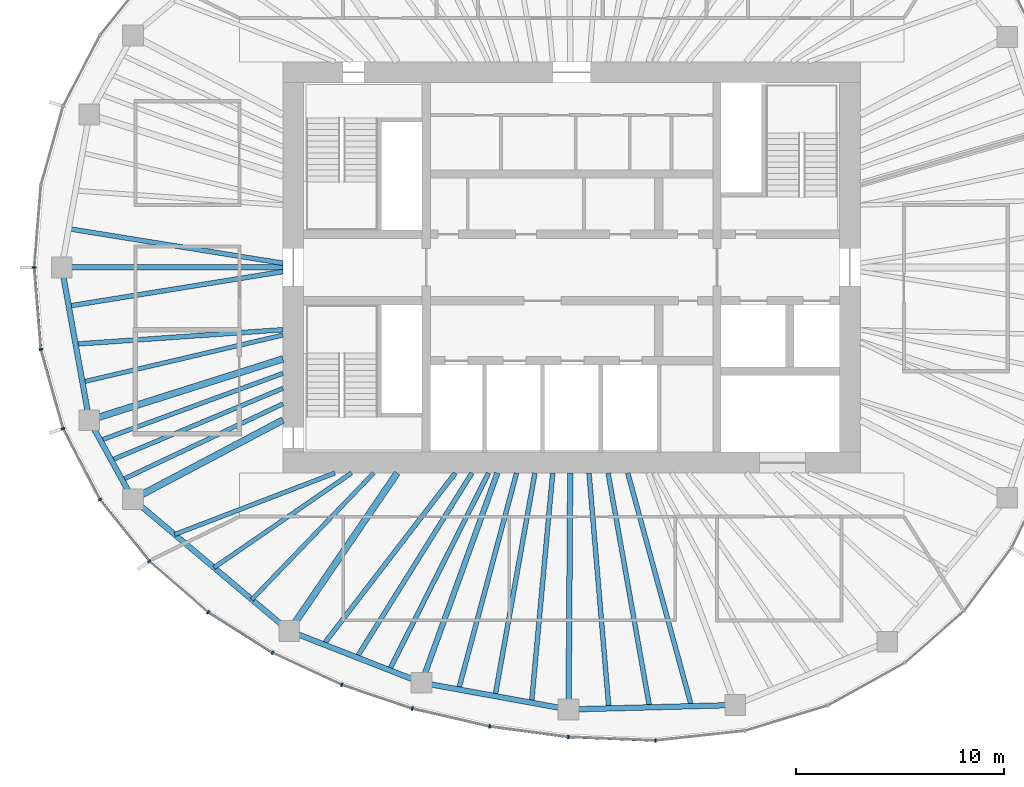
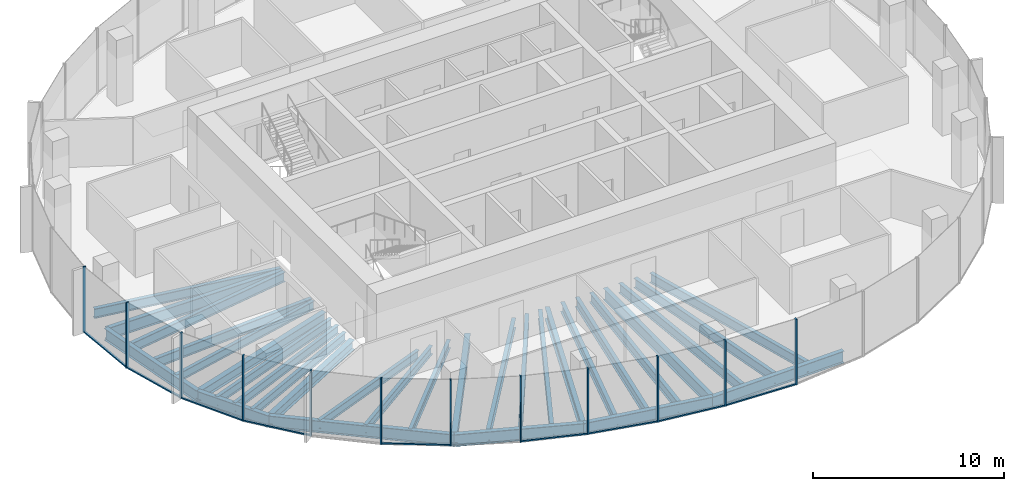
# One storey, part 2 of 11: 31 beams, 21 members, 6 elements without a shape of their own.
"""IFC4 building model written with IfcOpenShell, lengths in metres."""

from ifc_helpers import new_model, si_unit, direction, frame, origin, origin_2d, place, context, subcontext, project, spatial, rectangle, i_section, extrude, material, material_profile, profile_set, type_object, element, aggregate, save


model = new_model("IFC4")

# Units and contexts
model_context = context("Model", 3, precision=1e-05, world=origin(), true_north=direction((0.0, 1.0)))
body_context = subcontext(model_context, "Body", "Model", "MODEL_VIEW")
ifc_project = project(units=[si_unit("LENGTHUNIT", "METRE"), si_unit("AREAUNIT", "SQUARE_METRE"), si_unit("VOLUMEUNIT", "CUBIC_METRE"), si_unit("PLANEANGLEUNIT", "RADIAN"), si_unit("MASSUNIT", "GRAM", prefix="KILO")], contexts=[model_context])

# Site, building, storey
site_placement = place(None, origin())
site = spatial("IfcSite", under=ifc_project, at=site_placement, CompositionType="ELEMENT")
building_placement = place(site_placement, origin())
building = spatial("IfcBuilding", under=site, at=building_placement, Name="Ghaith Harvest Tower", CompositionType="ELEMENT")
storey_placement = place(building_placement, frame((0.0, 0.0, 309.0)))
storey = spatial("IfcBuildingStorey", under=building, at=storey_placement, Name="L69", CompositionType="ELEMENT", Elevation=309.0)

# Curtain wall, members
ifc_material_1 = material(Name="Black anodised aluminium and fritted glass", Category="aluminium")
curtain_wall_type = type_object("IfcCurtainWallType", Name="CW-T CURTAIN WALL", PredefinedType="NOTDEFINED", material=ifc_material_1)
curtain_wall_1_placement = place(storey_placement, origin())
curtain_wall_1 = element("IfcCurtainWall", 1, at=curtain_wall_1_placement, inside=storey, type_object=curtain_wall_type, Name="Curtain wall CW-T bay 11 L69", PredefinedType="NOTDEFINED")
ifc_material_2 = material(Name="Aluminium, black anodised", Category="aluminium")
ifc_material_profile_1 = material_profile(ifc_material_2, rectangle(XDim=0.080078125, YDim=0.179931640625, at=origin_2d()), Name="CW-T MULLION 80x180")
ifc_profile_set_1 = profile_set([ifc_material_profile_1], Name="Aluminium, black anodised")
member_type_1 = type_object("IfcMemberType", Name="CW-T MULLION 80x180", PredefinedType="MULLION", material=ifc_profile_set_1)
member_1_placement = place(storey_placement, frame((-25.8701171875, 0.0, 0.0), z_axis=(0.0, 0.0, 1.0), x_axis=(-1.05e-10, -1.0, 0.0)))
member_1 = element("IfcMember", 2, at=member_1_placement, type_object=member_type_1, Name="CW-T mullion 1 bay 11 L69", PredefinedType="MULLION", context=body_context, shape_type="SweptSolid", body=[
    extrude(rectangle(XDim=0.080078125, YDim=0.179931640625, at=origin_2d()), origin(), (0.0, 0.0, 1.0), 4.199951171875),
])
member_2_placement = place(storey_placement, frame((-25.5517578125, -3.9521484375, 0.0), z_axis=(0.0, 0.0, 1.0), x_axis=(0.176001391003, -0.98438991785, 0.0)))
member_2 = element("IfcMember", 3, at=member_2_placement, type_object=member_type_1, Name="CW-T mullion 2 bay 11 L69", PredefinedType="MULLION", context=body_context, shape_type="SweptSolid", body=[
    extrude(rectangle(XDim=0.080078125, YDim=0.179931640625, at=origin_2d()), origin(), (0.0, 0.0, 1.0), 4.199951171875),
])

curtain_wall_2_placement = place(storey_placement, origin())
curtain_wall_2 = element("IfcCurtainWall", 4, at=curtain_wall_2_placement, inside=storey, type_object=curtain_wall_type, Name="Curtain wall CW-T bay 12 L69", PredefinedType="NOTDEFINED")
member_3_placement = place(storey_placement, frame((-24.482666015625, -7.759033203125, 0.0), z_axis=(0.0, 0.0, 1.0), x_axis=(0.366473104734, -0.930428645038, 0.0)))
member_3 = element("IfcMember", 5, at=member_3_placement, type_object=member_type_1, Name="CW-T mullion 1 bay 12 L69", PredefinedType="MULLION", context=body_context, shape_type="SweptSolid", body=[
    extrude(rectangle(XDim=0.080078125, YDim=0.179931640625, at=origin_2d()), origin(), (0.0, 0.0, 1.0), 4.199951171875),
])
member_4_placement = place(storey_placement, frame((-22.706298828125, -11.176513671875, 0.0), z_axis=(0.0, 0.0, 1.0), x_axis=(0.545865412431, -0.837872873121, 0.0)))
member_4 = element("IfcMember", 6, at=member_4_placement, type_object=member_type_1, Name="CW-T mullion 2 bay 12 L69", PredefinedType="MULLION", context=body_context, shape_type="SweptSolid", body=[
    extrude(rectangle(XDim=0.080078125, YDim=0.179931640625, at=origin_2d()), origin(), (0.0, 0.0, 1.0), 4.199951171875),
])

curtain_wall_3_placement = place(storey_placement, origin())
curtain_wall_3 = element("IfcCurtainWall", 7, at=curtain_wall_3_placement, inside=storey, type_object=curtain_wall_type, Name="Curtain wall CW-T bay 13 L69", PredefinedType="NOTDEFINED")
member_5_placement = place(storey_placement, frame((-20.324462890625, -14.141845703125, 0.0), z_axis=(0.0, 0.0, 1.0), x_axis=(0.692826491831, -0.721104328248, 0.0)))
member_5 = element("IfcMember", 8, at=member_5_placement, type_object=member_type_1, Name="CW-T mullion 1 bay 13 L69", PredefinedType="MULLION", context=body_context, shape_type="SweptSolid", body=[
    extrude(rectangle(XDim=0.080078125, YDim=0.179931640625, at=origin_2d()), origin(), (0.0, 0.0, 1.0), 4.199951171875),
])
member_6_placement = place(storey_placement, frame((-17.49462890625, -16.600830078125, 0.0), z_axis=(0.0, 0.0, 1.0), x_axis=(0.802189888845, -0.59706899286, 0.0)))
member_6 = element("IfcMember", 9, at=member_6_placement, type_object=member_type_1, Name="CW-T mullion 2 bay 13 L69", PredefinedType="MULLION", context=body_context, shape_type="SweptSolid", body=[
    extrude(rectangle(XDim=0.080078125, YDim=0.179931640625, at=origin_2d()), origin(), (0.0, 0.0, 1.0), 4.199951171875),
])

curtain_wall_4_placement = place(storey_placement, origin())
curtain_wall_4 = element("IfcCurtainWall", 10, at=curtain_wall_4_placement, inside=storey, type_object=curtain_wall_type, Name="Curtain wall CW-T bay 14 L69", PredefinedType="NOTDEFINED")
member_7_placement = place(storey_placement, frame((-14.40478515625, -18.5478515625, 0.0), z_axis=(0.0, 0.0, 1.0), x_axis=(0.878671732732, -0.477426419564, 0.0)))
member_7 = element("IfcMember", 11, at=member_7_placement, type_object=member_type_1, Name="CW-T mullion 1 bay 14 L69", PredefinedType="MULLION", context=body_context, shape_type="SweptSolid", body=[
    extrude(rectangle(XDim=0.080078125, YDim=0.179931640625, at=origin_2d()), origin(), (0.0, 0.0, 1.0), 4.199951171875),
])
member_8_placement = place(storey_placement, frame((-11.0673828125, -20.093017578125, 0.0), z_axis=(0.0, 0.0, 1.0), x_axis=(0.92862442092, -0.371021138038, 0.0)))
member_8 = element("IfcMember", 12, at=member_8_placement, type_object=member_type_1, Name="CW-T mullion 2 bay 14 L69", PredefinedType="MULLION", context=body_context, shape_type="SweptSolid", body=[
    extrude(rectangle(XDim=0.080078125, YDim=0.179931640625, at=origin_2d()), origin(), (0.0, 0.0, 1.0), 4.199951171875),
])

curtain_wall_5_placement = place(storey_placement, origin())
curtain_wall_5 = element("IfcCurtainWall", 13, at=curtain_wall_5_placement, inside=storey, type_object=curtain_wall_type, Name="Curtain wall CW-T bay 15 L69", PredefinedType="NOTDEFINED")
member_9_placement = place(storey_placement, frame((-7.6708984375, -21.23828125, 0.0), z_axis=(0.0, 0.0, 1.0), x_axis=(0.962552491659, -0.271095372151, 0.0)))
member_9 = element("IfcMember", 14, at=member_9_placement, type_object=member_type_1, Name="CW-T mullion 1 bay 15 L69", PredefinedType="MULLION", context=body_context, shape_type="SweptSolid", body=[
    extrude(rectangle(XDim=0.080078125, YDim=0.179931640625, at=origin_2d()), origin(), (0.0, 0.0, 1.0), 4.199951171875),
])
member_10_placement = place(storey_placement, frame((-3.946533203125, -22.0986328125, 0.0), z_axis=(0.0, 0.0, 1.0), x_axis=(0.983843447712, -0.179030920217, 0.0)))
member_10 = element("IfcMember", 15, at=member_10_placement, type_object=member_type_1, Name="CW-T mullion 2 bay 15 L69", PredefinedType="MULLION", context=body_context, shape_type="SweptSolid", body=[
    extrude(rectangle(XDim=0.080078125, YDim=0.179931640625, at=origin_2d()), origin(), (0.0, 0.0, 1.0), 4.199951171875),
])

curtain_wall_6_placement = place(storey_placement, origin())
curtain_wall_6 = element("IfcCurtainWall", 16, at=curtain_wall_6_placement, inside=storey, type_object=curtain_wall_type, Name="Curtain wall CW-T bay 16 L69", PredefinedType="NOTDEFINED")
member_11_placement = place(storey_placement, frame((-0.15478515625, -22.60595703125, 0.0), z_axis=(0.0, 0.0, 1.0), x_axis=(0.996414855524, -0.084601629366, 0.0)))
member_11 = element("IfcMember", 17, at=member_11_placement, type_object=member_type_1, Name="CW-T mullion 1 bay 16 L69", PredefinedType="MULLION", context=body_context, shape_type="SweptSolid", body=[
    extrude(rectangle(XDim=0.080078125, YDim=0.179931640625, at=origin_2d()), origin(), (0.0, 0.0, 1.0), 4.199951171875),
])
member_12_placement = place(storey_placement, frame((4.037841796875, -22.776611328125, 0.0), z_axis=(0.0, 0.0, 1.0), x_axis=(0.999388631241, 0.034962318939, 0.0)))
member_12 = element("IfcMember", 18, at=member_12_placement, type_object=member_type_1, Name="CW-T mullion 2 bay 16 L69", PredefinedType="MULLION", context=body_context, shape_type="SweptSolid", body=[
    extrude(rectangle(XDim=0.080078125, YDim=0.179931640625, at=origin_2d()), origin(), (0.0, 0.0, 1.0), 4.199951171875),
])

# Member
ifc_material_3 = material(Name="Aluminium, black anodised", Category="aluminium")
ifc_material_profile_2 = material_profile(ifc_material_3, rectangle(XDim=0.1201171875, YDim=0.080078125, at=origin_2d()), Name="CW-T TRANSOM 120x80")
ifc_profile_set_2 = profile_set([ifc_material_profile_2], Name="Aluminium, black anodised")
member_type_2 = type_object("IfcMemberType", Name="CW-T TRANSOM 120x80", PredefinedType="USERDEFINED", material=ifc_profile_set_2)
member_13_placement = place(storey_placement, frame((-25.86669921875, -0.039794921875, 0.0400390625), z_axis=(0.08025226314, -0.996774585481, 0.0), x_axis=(0.996774585481, 0.08025226314, 0.0)))
member_13 = element("IfcMember", 19, at=member_13_placement, type_object=member_type_2, Name="CW-T transom 1 bay 11 L69", ObjectType="TRANSOM", PredefinedType="USERDEFINED", context=body_context, shape_type="SweptSolid", body=[
    extrude(rectangle(XDim=0.1201171875, YDim=0.080078125, at=origin_2d()), origin(), (0.0, 0.0, 1.0), 3.884765625),
])

member_14_placement = place(storey_placement, frame((-25.541015625, -3.990478515625, 0.0400390625), z_axis=(0.270340422972, -0.962764797709, 0.0), x_axis=(0.962764797709, 0.270340422972, 0.0)))
member_14 = element("IfcMember", 20, at=member_14_placement, type_object=member_type_2, Name="CW-T transom 2 bay 11 L69", ObjectType="TRANSOM", PredefinedType="USERDEFINED", context=body_context, shape_type="SweptSolid", body=[
    extrude(rectangle(XDim=0.1201171875, YDim=0.080078125, at=origin_2d()), origin(), (0.0, 0.0, 1.0), 3.874267578125),
])

aggregate(curtain_wall_1, [member_1, member_13, member_2, member_14])

member_15_placement = place(storey_placement, frame((-24.46435546875, -7.79443359375, 0.0400390625), z_axis=(0.461242681347, -0.887274021317, 0.0), x_axis=(0.887274021317, 0.461242681347, 0.0)))
member_15 = element("IfcMember", 21, at=member_15_placement, type_object=member_type_2, Name="CW-T transom 1 bay 12 L69", ObjectType="TRANSOM", PredefinedType="USERDEFINED", context=body_context, shape_type="SweptSolid", body=[
    extrude(rectangle(XDim=0.1201171875, YDim=0.080078125, at=origin_2d()), origin(), (0.0, 0.0, 1.0), 3.77197265625),
])

member_16_placement = place(storey_placement, frame((-22.68115234375, -11.207763671875, 0.0400390625), z_axis=(0.626253073761, -0.779619835307, 0.0), x_axis=(0.779619835307, 0.626253073761, 0.0)))
member_16 = element("IfcMember", 22, at=member_16_placement, type_object=member_type_2, Name="CW-T transom 2 bay 12 L69", ObjectType="TRANSOM", PredefinedType="USERDEFINED", context=body_context, shape_type="SweptSolid", body=[
    extrude(rectangle(XDim=0.1201171875, YDim=0.080078125, at=origin_2d()), origin(), (0.0, 0.0, 1.0), 3.723388671875),
])

aggregate(curtain_wall_2, [member_3, member_15, member_4, member_16])

member_17_placement = place(storey_placement, frame((-17.4609375, -16.6220703125, 0.0400390625), z_axis=(0.846053602505, -0.533097835006, 0.0), x_axis=(0.533097835006, 0.846053602505, 0.0)))
member_17 = element("IfcMember", 23, at=member_17_placement, type_object=member_type_2, Name="CW-T transom 2 bay 13 L69", ObjectType="TRANSOM", PredefinedType="USERDEFINED", context=body_context, shape_type="SweptSolid", body=[
    extrude(rectangle(XDim=0.1201171875, YDim=0.080078125, at=origin_2d()), origin(), (0.0, 0.0, 1.0), 3.572021484375),
])

aggregate(curtain_wall_3, [member_5, member_6, member_17])

member_18_placement = place(storey_placement, frame((-11.029541015625, -20.105712890625, 0.0400390625), z_axis=(0.9475698206, -0.319548799228, 0.0), x_axis=(0.319548799228, 0.9475698206, 0.0)))
member_18 = element("IfcMember", 24, at=member_18_placement, type_object=member_type_2, Name="CW-T transom 2 bay 14 L69", ObjectType="TRANSOM", PredefinedType="USERDEFINED", context=body_context, shape_type="SweptSolid", body=[
    extrude(rectangle(XDim=0.1201171875, YDim=0.080078125, at=origin_2d()), origin(), (0.0, 0.0, 1.0), 3.504638671875),
])

aggregate(curtain_wall_4, [member_7, member_8, member_18])

member_19_placement = place(storey_placement, frame((-7.6318359375, -21.247314453125, 0.0400390625), z_axis=(0.974344997799, -0.225059603803, 0.0), x_axis=(0.225059603803, 0.974344997799, 0.0)))
member_19 = element("IfcMember", 25, at=member_19_placement, type_object=member_type_2, Name="CW-T transom 1 bay 15 L69", ObjectType="TRANSOM", PredefinedType="USERDEFINED", context=body_context, shape_type="SweptSolid", body=[
    extrude(rectangle(XDim=0.1201171875, YDim=0.080078125, at=origin_2d()), origin(), (0.0, 0.0, 1.0), 3.742431640625),
])

member_20_placement = place(storey_placement, frame((-3.90673828125, -22.10400390625, 0.0400390625), z_axis=(0.99117202259, -0.132582131655, 0.0), x_axis=(0.132582131655, 0.99117202259, 0.0)))
member_20 = element("IfcMember", 26, at=member_20_placement, type_object=member_type_2, Name="CW-T transom 2 bay 15 L69", ObjectType="TRANSOM", PredefinedType="USERDEFINED", context=body_context, shape_type="SweptSolid", body=[
    extrude(rectangle(XDim=0.1201171875, YDim=0.080078125, at=origin_2d()), origin(), (0.0, 0.0, 1.0), 3.745361328125),
])

aggregate(curtain_wall_5, [member_9, member_19, member_10, member_20])

member_21_placement = place(storey_placement, frame((-0.11474609375, -22.607666015625, 0.0400390625), z_axis=(0.999174207562, -0.040631304968, 0.0), x_axis=(0.040631304968, 0.999174207562, 0.0)))
member_21 = element("IfcMember", 27, at=member_21_placement, type_object=member_type_2, Name="CW-T transom 1 bay 16 L69", ObjectType="TRANSOM", PredefinedType="USERDEFINED", context=body_context, shape_type="SweptSolid", body=[
    extrude(rectangle(XDim=0.1201171875, YDim=0.080078125, at=origin_2d()), origin(), (0.0, 0.0, 1.0), 4.115966796875),
])

aggregate(curtain_wall_6, [member_11, member_21, member_12])

# Beams
ifc_material_4 = material(Name="Steel ASTM A992 Grade 50", Category="steel")
ifc_material_profile_3 = material_profile(ifc_material_4, i_section(OverallWidth=0.26611328125, OverallDepth=0.758056640625, WebThickness=0.013916015625, FlangeThickness=0.019287109375, at=origin_2d()), Name="W760X161")
ifc_profile_set_3 = profile_set([ifc_material_profile_3], Name="Steel ASTM A992 Grade 50")
beam_type_1 = type_object("IfcBeamType", Name="E760-161 W760X161", PredefinedType="SPANDREL", material=ifc_profile_set_3)
beam_1_placement = place(storey_placement, frame((-24.550048828125, 0.0, -0.549072265625), z_axis=(0.177296554745, -0.984157473007, 0.0), x_axis=(0.984157473007, 0.177296554745, 0.0)))
element("IfcBeam", 28, at=beam_1_placement, inside=storey, type_object=beam_type_1, Name="Edge beam E11 L69", PredefinedType="SPANDREL", context=body_context, shape_type="SweptSolid", body=[
    extrude(i_section(OverallWidth=0.26611328125, OverallDepth=0.758056640625, WebThickness=0.013916015625, FlangeThickness=0.019287109375, at=origin_2d()), origin(), (0.0, 0.0, 1.0), 7.478515625),
])
beam_2_placement = place(storey_placement, frame((-23.22412109375, -7.360107421875, -0.549072265625), z_axis=(0.482955575345, -0.875644855089, 0.0), x_axis=(0.875644855089, 0.482955575345, 0.0)))
element("IfcBeam", 29, at=beam_2_placement, inside=storey, type_object=beam_type_1, Name="Edge beam E12 L69", PredefinedType="SPANDREL", context=body_context, shape_type="SweptSolid", body=[
    extrude(i_section(OverallWidth=0.26611328125, OverallDepth=0.758056640625, WebThickness=0.013916015625, FlangeThickness=0.019287109375, at=origin_2d()), origin(), (0.0, 0.0, 1.0), 4.346435546875),
])
beam_3_placement = place(storey_placement, frame((-21.125, -11.166015625, -0.549072265625), z_axis=(0.765021818761, -0.64400436087, 0.0), x_axis=(0.64400436087, 0.765021818761, 0.0)))
element("IfcBeam", 30, at=beam_3_placement, inside=storey, type_object=beam_type_1, Name="Edge beam E13 L69", PredefinedType="SPANDREL", context=body_context, shape_type="SweptSolid", body=[
    extrude(i_section(OverallWidth=0.26611328125, OverallDepth=0.758056640625, WebThickness=0.013916015625, FlangeThickness=0.019287109375, at=origin_2d()), origin(), (0.0, 0.0, 1.0), 9.8427734375),
])
beam_4_placement = place(storey_placement, frame((-13.594970703125, -17.5048828125, -0.549072265625), z_axis=(0.931322768207, -0.364194867371, 0.0), x_axis=(0.364194867371, 0.931322768207, 0.0)))
element("IfcBeam", 31, at=beam_4_placement, inside=storey, type_object=beam_type_1, Name="Edge beam E14 L69", PredefinedType="SPANDREL", context=body_context, shape_type="SweptSolid", body=[
    extrude(i_section(OverallWidth=0.26611328125, OverallDepth=0.758056640625, WebThickness=0.013916015625, FlangeThickness=0.019287109375, at=origin_2d()), origin(), (0.0, 0.0, 1.0), 6.843017578125),
])
beam_5_placement = place(storey_placement, frame((-7.221923828125, -19.9970703125, -0.549072265625), z_axis=(0.983813921429, -0.179193102551, 0.0), x_axis=(0.179193102551, 0.983813921429, 0.0)))
element("IfcBeam", 32, at=beam_5_placement, inside=storey, type_object=beam_type_1, Name="Edge beam E15 L69", PredefinedType="SPANDREL", context=body_context, shape_type="SweptSolid", body=[
    extrude(i_section(OverallWidth=0.26611328125, OverallDepth=0.758056640625, WebThickness=0.013916015625, FlangeThickness=0.019287109375, at=origin_2d()), origin(), (0.0, 0.0, 1.0), 7.1923828125),
])
beam_6_placement = place(storey_placement, frame((-0.14599609375, -21.285888671875, -0.549072265625), z_axis=(0.999644979696, 0.02664422206, 0.0), x_axis=(-0.02664422206, 0.999644979696, 0.0)))
element("IfcBeam", 33, at=beam_6_placement, inside=storey, type_object=beam_type_1, Name="Edge beam E16 L69", PredefinedType="SPANDREL", context=body_context, shape_type="SweptSolid", body=[
    extrude(i_section(OverallWidth=0.26611328125, OverallDepth=0.758056640625, WebThickness=0.013916015625, FlangeThickness=0.019287109375, at=origin_2d()), origin(), (0.0, 0.0, 1.0), 8.02685546875),
])
ifc_material_5 = material(Name="Steel ASTM A992 Grade 50", Category="steel")
ifc_material_profile_4 = material_profile(ifc_material_5, i_section(OverallWidth=0.323974609375, OverallDepth=0.611083984375, WebThickness=0.0126953125, FlangeThickness=0.01904296875, at=origin_2d()), Name="W610X155")
ifc_profile_set_4 = profile_set([ifc_material_profile_4], Name="Steel ASTM A992 Grade 50")
beam_type_2 = type_object("IfcBeamType", Name="G610-155 W610X155", PredefinedType="BEAM", material=ifc_profile_set_4)
beam_7_placement = place(storey_placement, frame((-13.89990234375, -4.4052734375, -0.4755859375), z_axis=(-0.953278508772, -0.302092841215, 0.0), x_axis=(0.302092841215, -0.953278508772, 0.0)))
element("IfcBeam", 34, at=beam_7_placement, inside=storey, type_object=beam_type_2, Name="Radial girder G12 L69", PredefinedType="BEAM", context=body_context, shape_type="SweptSolid", body=[
    extrude(i_section(OverallWidth=0.323974609375, OverallDepth=0.611083984375, WebThickness=0.0126953125, FlangeThickness=0.01904296875, at=origin_2d()), origin(), (0.0, 0.0, 1.0), 9.78125),
])
beam_8_placement = place(storey_placement, frame((-13.89990234375, -7.34716796875, -0.4755859375), z_axis=(-0.88410164037, -0.467294649546, 0.0), x_axis=(0.467294649546, -0.88410164037, 0.0)))
element("IfcBeam", 35, at=beam_8_placement, inside=storey, type_object=beam_type_2, Name="Radial girder G13 L69", PredefinedType="BEAM", context=body_context, shape_type="SweptSolid", body=[
    extrude(i_section(OverallWidth=0.323974609375, OverallDepth=0.611083984375, WebThickness=0.0126953125, FlangeThickness=0.01904296875, at=origin_2d()), origin(), (0.0, 0.0, 1.0), 8.17236328125),
])
beam_9_placement = place(storey_placement, frame((-8.39990234375, -9.89990234375, -0.4755859375), z_axis=(-0.564067018201, -0.825729010619, 0.0), x_axis=(0.825729010619, -0.564067018201, 0.0)))
element("IfcBeam", 36, at=beam_9_placement, inside=storey, type_object=beam_type_2, Name="Radial girder G14 L69", PredefinedType="BEAM", context=body_context, shape_type="SweptSolid", body=[
    extrude(i_section(OverallWidth=0.323974609375, OverallDepth=0.611083984375, WebThickness=0.0126953125, FlangeThickness=0.01904296875, at=origin_2d()), origin(), (0.0, 0.0, 1.0), 9.2099609375),
])
ifc_material_6 = material(Name="Steel ASTM A992 Grade 50", Category="steel")
ifc_material_profile_5 = material_profile(ifc_material_6, i_section(OverallWidth=0.26611328125, OverallDepth=0.758056640625, WebThickness=0.013916015625, FlangeThickness=0.019287109375, at=origin_2d()), Name="W760X161")
ifc_profile_set_5 = profile_set([ifc_material_profile_5], Name="Steel ASTM A992 Grade 50")
beam_type_3 = type_object("IfcBeamType", Name="G760-161 W760X161", PredefinedType="BEAM", material=ifc_profile_set_5)
beam_10_placement = place(storey_placement, frame((-13.89990234375, 0.0, -0.549072265625), z_axis=(-1.0, 0.0, 0.0), x_axis=(0.0, -1.0, 0.0)))
element("IfcBeam", 37, at=beam_10_placement, inside=storey, type_object=beam_type_3, Name="Radial girder G11 L69", PredefinedType="BEAM", context=body_context, shape_type="SweptSolid", body=[
    extrude(i_section(OverallWidth=0.26611328125, OverallDepth=0.758056640625, WebThickness=0.013916015625, FlangeThickness=0.019287109375, at=origin_2d()), origin(), (0.0, 0.0, 1.0), 10.650146484375),
])
beam_11_placement = place(storey_placement, frame((-3.57568359375, -9.89990234375, -0.549072265625), z_axis=(-0.339647816823, -0.940552688863, 0.0), x_axis=(0.940552688863, -0.339647816823, 0.0)))
element("IfcBeam", 38, at=beam_11_placement, inside=storey, type_object=beam_type_3, Name="Radial girder G15 L69", PredefinedType="BEAM", context=body_context, shape_type="SweptSolid", body=[
    extrude(i_section(OverallWidth=0.26611328125, OverallDepth=0.758056640625, WebThickness=0.013916015625, FlangeThickness=0.019287109375, at=origin_2d()), origin(), (0.0, 0.0, 1.0), 10.7353515625),
])
beam_12_placement = place(storey_placement, frame((-0.06787109375, -9.89990234375, -0.549072265625), z_axis=(-0.006861343299, -0.999976460707, 0.0), x_axis=(0.999976460707, -0.006861343299, 0.0)))
element("IfcBeam", 39, at=beam_12_placement, inside=storey, type_object=beam_type_3, Name="Radial girder G16 L69", PredefinedType="BEAM", context=body_context, shape_type="SweptSolid", body=[
    extrude(i_section(OverallWidth=0.26611328125, OverallDepth=0.758056640625, WebThickness=0.013916015625, FlangeThickness=0.019287109375, at=origin_2d()), origin(), (0.0, 0.0, 1.0), 11.38623046875),
])
ifc_material_7 = material(Name="Steel ASTM A992 Grade 50", Category="steel")
ifc_material_profile_6 = material_profile(ifc_material_7, i_section(OverallWidth=0.2109375, OverallDepth=0.5390625, WebThickness=0.01171875, FlangeThickness=0.018798828125, at=origin_2d()), Name="W530X109")
ifc_profile_set_6 = profile_set([ifc_material_profile_6], Name="Steel ASTM A992 Grade 50")
beam_type_4 = type_object("IfcBeamType", Name="J530-109 W530X109", PredefinedType="JOIST", material=ifc_profile_set_6)
beam_13_placement = place(storey_placement, frame((-13.89990234375, -3.257080078125, -0.439453125), z_axis=(-0.973623403271, -0.228161058472, 0.0), x_axis=(0.228161058472, -0.973623403271, 0.0)))
element("IfcBeam", 40, at=beam_13_placement, inside=storey, type_object=beam_type_4, Name="Joist J11.3 L69", PredefinedType="JOIST", context=body_context, shape_type="SweptSolid", body=[
    extrude(i_section(OverallWidth=0.2109375, OverallDepth=0.5390625, WebThickness=0.01171875, FlangeThickness=0.018798828125, at=origin_2d()), origin(), (0.0, 0.0, 1.0), 9.9169921875),
])
beam_14_placement = place(storey_placement, frame((-13.89990234375, -5.101318359375, -0.439453125), z_axis=(-0.938776837502, -0.34452583266, 0.0), x_axis=(0.34452583266, -0.938776837502, 0.0)))
element("IfcBeam", 41, at=beam_14_placement, inside=storey, type_object=beam_type_4, Name="Joist J12.1 L69", PredefinedType="JOIST", context=body_context, shape_type="SweptSolid", body=[
    extrude(i_section(OverallWidth=0.2109375, OverallDepth=0.5390625, WebThickness=0.01171875, FlangeThickness=0.018798828125, at=origin_2d()), origin(), (0.0, 0.0, 1.0), 9.36376953125),
])
beam_15_placement = place(storey_placement, frame((-13.89990234375, -5.82080078125, -0.439453125), z_axis=(-0.922394258818, -0.38624970071, 0.0), x_axis=(0.38624970071, -0.922394258818, 0.0)))
element("IfcBeam", 42, at=beam_15_placement, inside=storey, type_object=beam_type_4, Name="Joist J12.2 L69", PredefinedType="JOIST", context=body_context, shape_type="SweptSolid", body=[
    extrude(i_section(OverallWidth=0.2109375, OverallDepth=0.5390625, WebThickness=0.01171875, FlangeThickness=0.018798828125, at=origin_2d()), origin(), (0.0, 0.0, 1.0), 8.959716796875),
])
beam_16_placement = place(storey_placement, frame((-13.89990234375, -6.56787109375, -0.439453125), z_axis=(-0.904165769726, -0.427181765594, 0.0), x_axis=(0.427181765594, -0.904165769726, 0.0)))
element("IfcBeam", 43, at=beam_16_placement, inside=storey, type_object=beam_type_4, Name="Joist J12.3 L69", PredefinedType="JOIST", context=body_context, shape_type="SweptSolid", body=[
    extrude(i_section(OverallWidth=0.2109375, OverallDepth=0.5390625, WebThickness=0.01171875, FlangeThickness=0.018798828125, at=origin_2d()), origin(), (0.0, 0.0, 1.0), 8.564208984375),
])
beam_17_placement = place(storey_placement, frame((-11.39990234375, -9.89990234375, -0.439453125), z_axis=(-0.933583045329, -0.358361127181, 0.0), x_axis=(0.358361127181, -0.933583045329, 0.0)))
element("IfcBeam", 44, at=beam_17_placement, inside=storey, type_object=beam_type_4, Name="Joist J13.1 L69", PredefinedType="JOIST", context=body_context, shape_type="SweptSolid", body=[
    extrude(i_section(OverallWidth=0.2109375, OverallDepth=0.5390625, WebThickness=0.01171875, FlangeThickness=0.018798828125, at=origin_2d()), origin(), (0.0, 0.0, 1.0), 8.260986328125),
])
beam_18_placement = place(storey_placement, frame((-10.60009765625, -9.89990234375, -0.439453125), z_axis=(-0.823778502511, -0.566911791023, 0.0), x_axis=(0.566911791023, -0.823778502511, 0.0)))
element("IfcBeam", 45, at=beam_18_placement, inside=storey, type_object=beam_type_4, Name="Joist J13.2 L69", PredefinedType="JOIST", context=body_context, shape_type="SweptSolid", body=[
    extrude(i_section(OverallWidth=0.2109375, OverallDepth=0.5390625, WebThickness=0.01171875, FlangeThickness=0.018798828125, at=origin_2d()), origin(), (0.0, 0.0, 1.0), 8.0341796875),
])
beam_19_placement = place(storey_placement, frame((-9.530517578125, -9.89990234375, -0.439453125), z_axis=(-0.693536238632, -0.720421741554, 0.0), x_axis=(0.720421741554, -0.693536238632, 0.0)))
element("IfcBeam", 46, at=beam_19_placement, inside=storey, type_object=beam_type_4, Name="Joist J13.3 L69", PredefinedType="JOIST", context=body_context, shape_type="SweptSolid", body=[
    extrude(i_section(OverallWidth=0.2109375, OverallDepth=0.5390625, WebThickness=0.01171875, FlangeThickness=0.018798828125, at=origin_2d()), origin(), (0.0, 0.0, 1.0), 8.4541015625),
])
ifc_material_8 = material(Name="Steel ASTM A992 Grade 50", Category="steel")
ifc_material_profile_7 = material_profile(ifc_material_8, i_section(OverallWidth=0.22998046875, OverallDepth=0.616943359375, WebThickness=0.01318359375, FlangeThickness=0.022216796875, at=origin_2d()), Name="W610X140")
ifc_profile_set_7 = profile_set([ifc_material_profile_7], Name="Steel ASTM A992 Grade 50")
beam_type_5 = type_object("IfcBeamType", Name="J610-140 W610X140", PredefinedType="JOIST", material=ifc_profile_set_7)
for number, where, z_axis, x_axis, name in (
    (47, (-13.89990234375, 0.199951171875, -0.478515625), (-0.987271793524, 0.159042150743, 0.0), (-0.159042150743, -0.987271793524, 0.0), "Joist J10.3 L69"),
    (48, (-13.89990234375, -0.199951171875, -0.478515625), (-0.987271793524, -0.159042150743, 0.0), (0.159042150743, -0.987271793524, 0.0), "Joist J11.1 L69"),
):
    element("IfcBeam", number, at=place(storey_placement, frame(where, z_axis=z_axis, x_axis=x_axis)), inside=storey, type_object=beam_type_5, Name=name, PredefinedType="JOIST", context=body_context, shape_type="SweptSolid", body=[
        extrude(i_section(OverallWidth=0.22998046875, OverallDepth=0.616943359375, WebThickness=0.01318359375, FlangeThickness=0.022216796875, at=origin_2d()), origin(), (0.0, 0.0, 1.0), 10.44775390625),
    ])
beam_20_placement = place(storey_placement, frame((-13.89990234375, -3.0, -0.478515625), z_axis=(-0.997592478057, -0.069348739886, 0.0), x_axis=(0.069348739886, -0.997592478057, 0.0)))
element("IfcBeam", 49, at=beam_20_placement, inside=storey, type_object=beam_type_5, Name="Joist J11.2 L69", PredefinedType="JOIST", context=body_context, shape_type="SweptSolid", body=[
    extrude(i_section(OverallWidth=0.22998046875, OverallDepth=0.616943359375, WebThickness=0.01318359375, FlangeThickness=0.022216796875, at=origin_2d()), origin(), (0.0, 0.0, 1.0), 10.0087890625),
])
beam_21_placement = place(storey_placement, frame((-5.60009765625, -9.89990234375, -0.478515625), z_axis=(-0.609353577926, -0.792898617144, 0.0), x_axis=(0.792898617144, -0.609353577926, 0.0)))
element("IfcBeam", 50, at=beam_21_placement, inside=storey, type_object=beam_type_5, Name="Joist J14.1 L69", PredefinedType="JOIST", context=body_context, shape_type="SweptSolid", body=[
    extrude(i_section(OverallWidth=0.22998046875, OverallDepth=0.616943359375, WebThickness=0.01318359375, FlangeThickness=0.022216796875, at=origin_2d()), origin(), (0.0, 0.0, 1.0), 10.406982421875),
])
beam_22_placement = place(storey_placement, frame((-4.800048828125, -9.89990234375, -0.478515625), z_axis=(-0.529596254905, -0.848249849273, 0.0), x_axis=(0.848249849273, -0.529596254905, 0.0)))
element("IfcBeam", 51, at=beam_22_placement, inside=storey, type_object=beam_type_5, Name="Joist J14.2 L69", PredefinedType="JOIST", context=body_context, shape_type="SweptSolid", body=[
    extrude(i_section(OverallWidth=0.22998046875, OverallDepth=0.616943359375, WebThickness=0.01318359375, FlangeThickness=0.022216796875, at=origin_2d()), origin(), (0.0, 0.0, 1.0), 10.465087890625),
])
beam_23_placement = place(storey_placement, frame((-4.0, -9.89990234375, -0.478515625), z_axis=(-0.449556131123, -0.893252083664, 0.0), x_axis=(0.893252083664, -0.449556131123, 0.0)))
element("IfcBeam", 52, at=beam_23_placement, inside=storey, type_object=beam_type_5, Name="Joist J14.3 L69", PredefinedType="JOIST", context=body_context, shape_type="SweptSolid", body=[
    extrude(i_section(OverallWidth=0.22998046875, OverallDepth=0.616943359375, WebThickness=0.01318359375, FlangeThickness=0.022216796875, at=origin_2d()), origin(), (0.0, 0.0, 1.0), 10.62353515625),
])
beam_24_placement = place(storey_placement, frame((-2.651123046875, -9.89990234375, -0.478515625), z_axis=(-0.258678019609, -0.965963602923, 0.0), x_axis=(0.965963602923, -0.258678019609, 0.0)))
element("IfcBeam", 53, at=beam_24_placement, inside=storey, type_object=beam_type_5, Name="Joist J15.1 L69", PredefinedType="JOIST", context=body_context, shape_type="SweptSolid", body=[
    extrude(i_section(OverallWidth=0.22998046875, OverallDepth=0.616943359375, WebThickness=0.01318359375, FlangeThickness=0.022216796875, at=origin_2d()), origin(), (0.0, 0.0, 1.0), 10.78857421875),
])
beam_25_placement = place(storey_placement, frame((-1.76806640625, -9.89990234375, -0.478515625), z_axis=(-0.175803029262, -0.984425362789, 0.0), x_axis=(0.984425362789, -0.175803029262, 0.0)))
element("IfcBeam", 54, at=beam_25_placement, inside=storey, type_object=beam_type_5, Name="Joist J15.2 L69", PredefinedType="JOIST", context=body_context, shape_type="SweptSolid", body=[
    extrude(i_section(OverallWidth=0.22998046875, OverallDepth=0.616943359375, WebThickness=0.01318359375, FlangeThickness=0.022216796875, at=origin_2d()), origin(), (0.0, 0.0, 1.0), 10.9111328125),
])
beam_26_placement = place(storey_placement, frame((-0.9111328125, -9.89990234375, -0.478515625), z_axis=(-0.091651380942, -0.995791154998, 0.0), x_axis=(0.995791154998, -0.091651380942, 0.0)))
element("IfcBeam", 55, at=beam_26_placement, inside=storey, type_object=beam_type_5, Name="Joist J15.3 L69", PredefinedType="JOIST", context=body_context, shape_type="SweptSolid", body=[
    extrude(i_section(OverallWidth=0.22998046875, OverallDepth=0.616943359375, WebThickness=0.01318359375, FlangeThickness=0.022216796875, at=origin_2d()), origin(), (0.0, 0.0, 1.0), 11.10791015625),
])
beam_27_placement = place(storey_placement, frame((0.836669921875, -9.89990234375, -0.478515625), z_axis=(0.084201795166, -0.996448723061, 0.0), x_axis=(0.996448723061, 0.084201795166, 0.0)))
element("IfcBeam", 56, at=beam_27_placement, inside=storey, type_object=beam_type_5, Name="Joist J16.1 L69", PredefinedType="JOIST", context=body_context, shape_type="SweptSolid", body=[
    extrude(i_section(OverallWidth=0.22998046875, OverallDepth=0.616943359375, WebThickness=0.01318359375, FlangeThickness=0.022216796875, at=origin_2d()), origin(), (0.0, 0.0, 1.0), 11.37451171875),
])
beam_28_placement = place(storey_placement, frame((1.7548828125, -9.89990234375, -0.478515625), z_axis=(0.174572943493, -0.98464424408, 0.0), x_axis=(0.98464424408, 0.174572943493, 0.0)))
element("IfcBeam", 57, at=beam_28_placement, inside=storey, type_object=beam_type_5, Name="Joist J16.2 L69", PredefinedType="JOIST", context=body_context, shape_type="SweptSolid", body=[
    extrude(i_section(OverallWidth=0.22998046875, OverallDepth=0.616943359375, WebThickness=0.01318359375, FlangeThickness=0.022216796875, at=origin_2d()), origin(), (0.0, 0.0, 1.0), 11.4580078125),
])
beam_29_placement = place(storey_placement, frame((2.70361328125, -9.89990234375, -0.478515625), z_axis=(0.263468802698, -0.964667916956, 0.0), x_axis=(0.964667916956, 0.263468802698, 0.0)))
element("IfcBeam", 58, at=beam_29_placement, inside=storey, type_object=beam_type_5, Name="Joist J16.3 L69", PredefinedType="JOIST", context=body_context, shape_type="SweptSolid", body=[
    extrude(i_section(OverallWidth=0.22998046875, OverallDepth=0.616943359375, WebThickness=0.01318359375, FlangeThickness=0.022216796875, at=origin_2d()), origin(), (0.0, 0.0, 1.0), 11.639404296875),
])

save(model, "model.ifc")
